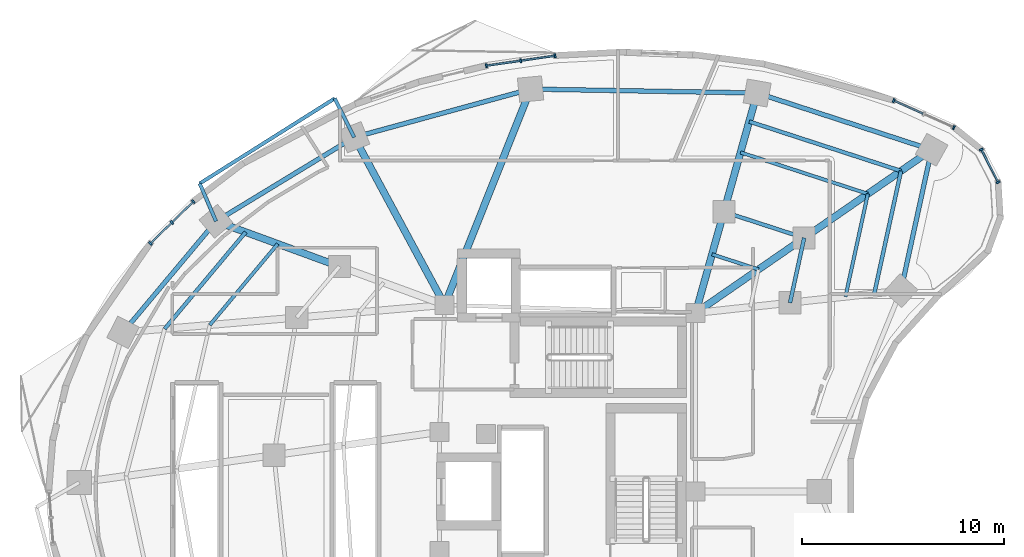
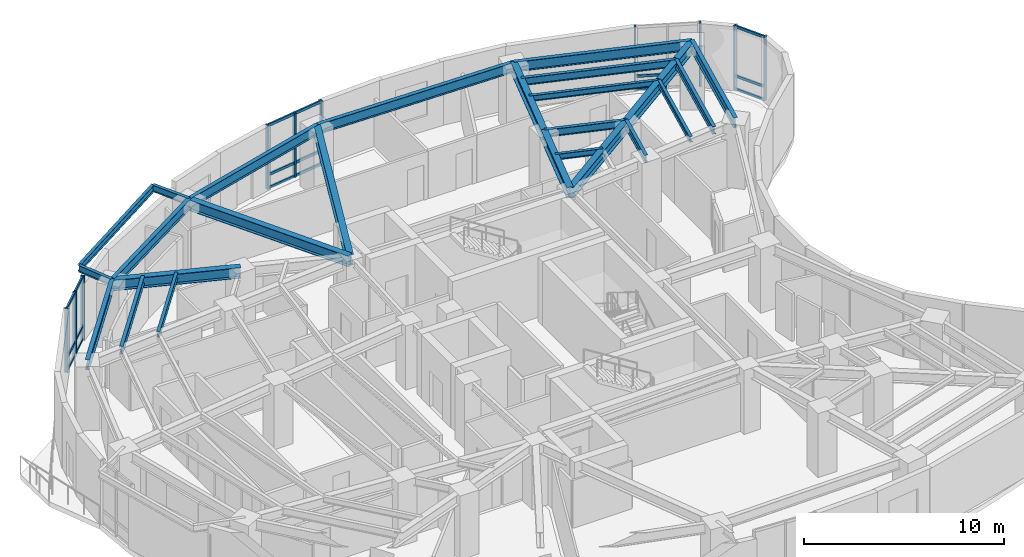
# One storey, part 5 of 14: 27 members, 25 beams, 4 elements without a shape of their own.
"""IFC4 building model written with IfcOpenShell, lengths in metres."""

from ifc_helpers import new_model, si_unit, direction, frame, origin, origin_2d, place, context, subcontext, project, spatial, rectangle, i_section, extrude, material, layer, layer_set, material_profile, profile_set, type_object, element, aggregate, save


model = new_model("IFC4")

# Units and contexts
model_context = context("Model", 3, precision=1e-05, world=origin(), true_north=direction((0.0, 1.0)))
body_context = subcontext(model_context, "Body", "Model", "MODEL_VIEW")
ifc_project = project(units=[si_unit("LENGTHUNIT", "METRE"), si_unit("AREAUNIT", "SQUARE_METRE"), si_unit("VOLUMEUNIT", "CUBIC_METRE"), si_unit("PLANEANGLEUNIT", "RADIAN"), si_unit("MASSUNIT", "GRAM", prefix="KILO")], contexts=[model_context])

# Site, building, storey
site_placement = place(None, origin())
site = spatial("IfcSite", under=ifc_project, at=site_placement, CompositionType="ELEMENT")
building_placement = place(site_placement, origin())
building = spatial("IfcBuilding", under=site, at=building_placement, Name="Korentha Bioscience Tower", CompositionType="ELEMENT")
storey_placement = place(building_placement, frame((0.0, 0.0, 102.60009765625)))
storey = spatial("IfcBuildingStorey", under=building, at=storey_placement, Name="L23", CompositionType="ELEMENT", Elevation=102.60009765625)

# Beams
ifc_material_1 = material(Name="Steel S355", Category="steel")
ifc_material_profile_1 = material_profile(ifc_material_1, i_section(OverallWidth=0.18994140625, OverallDepth=0.45703125, WebThickness=0.009033203125, FlangeThickness=0.014404296875, at=origin_2d()), Name="Steel S355")
ifc_profile_set_1 = profile_set([ifc_material_profile_1], Name="Steel S355 (MB-460)")
beam_type_1 = type_object("IfcBeamType", Name="Mid-Ring Tie Girder W460x74", PredefinedType="BEAM", material=ifc_profile_set_1)
beam_1_placement = place(storey_placement, frame((42.93603515625, 39.57470703125, 3.67138671875), z_axis=(-0.95087582253, 0.309572560361, 0.0), x_axis=(-0.309572560361, -0.95087582253, 0.0)))
element("IfcBeam", 1, at=beam_1_placement, inside=storey, type_object=beam_type_1, Name="L23 Mid-Ring Tie Girder 01", PredefinedType="BEAM", context=body_context, shape_type="SweptSolid", body=[
    extrude(i_section(OverallWidth=0.18994140625, OverallDepth=0.45703125, WebThickness=0.009033203125, FlangeThickness=0.014404296875, at=origin_2d()), origin(), (0.0, 0.0, 1.0), 4.186767578125),
])
beam_2_placement = place(storey_placement, frame((42.235595703125, 36.360595703125, 3.67138671875), z_axis=(0.212928773299, 0.977067724112, 0.0), x_axis=(-0.977067724112, 0.212928773299, 0.0)))
element("IfcBeam", 2, at=beam_2_placement, inside=storey, type_object=beam_type_1, Name="L23 Mid-Ring Tie Girder 16", PredefinedType="BEAM", context=body_context, shape_type="SweptSolid", body=[
    extrude(i_section(OverallWidth=0.18994140625, OverallDepth=0.45703125, WebThickness=0.009033203125, FlangeThickness=0.014404296875, at=origin_2d()), origin(), (0.0, 0.0, 1.0), 3.28955078125),
])

# Curtain wall, members
ifc_material_2 = material(Name="Thermally Broken Aluminium Frame", Category="aluminium")
ifc_layer = layer(ifc_material_2, 0.219970703125, Name="Thermally Broken Aluminium Frame")
ifc_layer_set = layer_set([ifc_layer], Name="Thermally Broken Aluminium Frame (CW-T1)")
curtain_wall_type = type_object("IfcCurtainWallType", Name="Standard Bioscience Lab Unitised Curtain Wall CW-T1", PredefinedType="USERDEFINED", material=ifc_layer_set)
curtain_wall_1_placement = place(storey_placement, origin())
curtain_wall_1 = element("IfcCurtainWall", 3, at=curtain_wall_1_placement, inside=storey, type_object=curtain_wall_type, Name="L23 Curtain Wall 01", ObjectType="UNITISED", PredefinedType="USERDEFINED")
ifc_material_3 = material(Name="Anodised Aluminium 6063-T6", Category="aluminium")
ifc_material_profile_2 = material_profile(ifc_material_3, rectangle(XDim=0.090087890625, YDim=0.199951171875, at=origin_2d()), Name="Anodised Aluminium 6063-T6")
ifc_profile_set_2 = profile_set([ifc_material_profile_2], Name="Anodised Aluminium 6063-T6 (CW-MUL)")
member_type_1 = type_object("IfcMemberType", Name="Mullion RECT 90x200", PredefinedType="MULLION", material=ifc_profile_set_2)
member_1_placement = place(storey_placement, frame((50.364013671875, 45.0517578125, 0.0), z_axis=(0.0, 0.0, 1.0), x_axis=(-0.912686563127, 0.408660295952, 0.0)))
member_1 = element("IfcMember", 4, at=member_1_placement, type_object=member_type_1, Name="CW-L23-01 Mullion 1", PredefinedType="MULLION", context=body_context, shape_type="SweptSolid", body=[
    extrude(rectangle(XDim=0.090087890625, YDim=0.199951171875, at=origin_2d()), origin(), (0.0, 0.0, 1.0), 3.89990234375),
])
member_2_placement = place(storey_placement, frame((47.37890625, 46.388427734375, 0.0), z_axis=(0.0, 0.0, 1.0), x_axis=(-0.912686563127, 0.408660295952, 0.0)))
member_2 = element("IfcMember", 5, at=member_2_placement, type_object=member_type_1, Name="CW-L23-01 Mullion 3", PredefinedType="MULLION", context=body_context, shape_type="SweptSolid", body=[
    extrude(rectangle(XDim=0.090087890625, YDim=0.199951171875, at=origin_2d()), origin(), (0.0, 0.0, 1.0), 3.89990234375),
])

curtain_wall_2_placement = place(storey_placement, origin())
curtain_wall_2 = element("IfcCurtainWall", 6, at=curtain_wall_2_placement, inside=storey, type_object=curtain_wall_type, Name="L23 Curtain Wall 07", ObjectType="UNITISED", PredefinedType="USERDEFINED")
member_3_placement = place(storey_placement, frame((30.576416015625, 48.609375, 0.0), z_axis=(0.0, 0.0, 1.0), x_axis=(-0.989738282326, -0.14289203091, 0.0)))
member_3 = element("IfcMember", 7, at=member_3_placement, type_object=member_type_1, Name="CW-L23-07 Mullion 1", PredefinedType="MULLION", context=body_context, shape_type="SweptSolid", body=[
    extrude(rectangle(XDim=0.090087890625, YDim=0.199951171875, at=origin_2d()), origin(), (0.0, 0.0, 1.0), 3.89990234375),
])
member_4_placement = place(storey_placement, frame((28.873291015625, 48.363525390625, 0.0), z_axis=(0.0, 0.0, 1.0), x_axis=(-0.989738282326, -0.14289203091, 0.0)))
member_4 = element("IfcMember", 8, at=member_4_placement, type_object=member_type_1, Name="CW-L23-07 Mullion 2", PredefinedType="MULLION", context=body_context, shape_type="SweptSolid", body=[
    extrude(rectangle(XDim=0.090087890625, YDim=0.199951171875, at=origin_2d()), origin(), (0.0, 0.0, 1.0), 3.89990234375),
])
member_5_placement = place(storey_placement, frame((27.170166015625, 48.11767578125, 0.0), z_axis=(0.0, 0.0, 1.0), x_axis=(-0.989738282326, -0.14289203091, 0.0)))
member_5 = element("IfcMember", 9, at=member_5_placement, type_object=member_type_1, Name="CW-L23-07 Mullion 3", PredefinedType="MULLION", context=body_context, shape_type="SweptSolid", body=[
    extrude(rectangle(XDim=0.090087890625, YDim=0.199951171875, at=origin_2d()), origin(), (0.0, 0.0, 1.0), 3.89990234375),
])

curtain_wall_3_placement = place(storey_placement, origin())
curtain_wall_3 = element("IfcCurtainWall", 10, at=curtain_wall_3_placement, inside=storey, type_object=curtain_wall_type, Name="L23 Curtain Wall 13", ObjectType="UNITISED", PredefinedType="USERDEFINED")
member_6_placement = place(storey_placement, frame((12.631103515625, 41.377197265625, 0.0), z_axis=(0.0, 0.0, 1.0), x_axis=(-0.716095631804, -0.698002182025, 0.0)))
member_6 = element("IfcMember", 11, at=member_6_placement, type_object=member_type_1, Name="CW-L23-13 Mullion 1", PredefinedType="MULLION", context=body_context, shape_type="SweptSolid", body=[
    extrude(rectangle(XDim=0.090087890625, YDim=0.199951171875, at=origin_2d()), origin(), (0.0, 0.0, 1.0), 3.89990234375),
])
member_7_placement = place(storey_placement, frame((11.56689453125, 40.340087890625, 0.0), z_axis=(0.0, 0.0, 1.0), x_axis=(-0.716095631804, -0.698002182025, 0.0)))
member_7 = element("IfcMember", 12, at=member_7_placement, type_object=member_type_1, Name="CW-L23-13 Mullion 2", PredefinedType="MULLION", context=body_context, shape_type="SweptSolid", body=[
    extrude(rectangle(XDim=0.090087890625, YDim=0.199951171875, at=origin_2d()), origin(), (0.0, 0.0, 1.0), 3.89990234375),
])
member_8_placement = place(storey_placement, frame((10.5029296875, 39.302734375, 0.0), z_axis=(0.0, 0.0, 1.0), x_axis=(-0.716095631804, -0.698002182025, 0.0)))
member_8 = element("IfcMember", 13, at=member_8_placement, type_object=member_type_1, Name="CW-L23-13 Mullion 3", PredefinedType="MULLION", context=body_context, shape_type="SweptSolid", body=[
    extrude(rectangle(XDim=0.090087890625, YDim=0.199951171875, at=origin_2d()), origin(), (0.0, 0.0, 1.0), 3.89990234375),
])

curtain_wall_4_placement = place(storey_placement, origin())
curtain_wall_4 = element("IfcCurtainWall", 14, at=curtain_wall_4_placement, inside=storey, type_object=curtain_wall_type, Name="L23 Curtain Wall 61", ObjectType="UNITISED", PredefinedType="USERDEFINED")
member_9_placement = place(storey_placement, frame((52.55859375, 42.337158203125, 0.0), z_axis=(0.0, 0.0, 1.0), x_axis=(-0.457613117169, 0.889151412862, 0.0)))
member_9 = element("IfcMember", 15, at=member_9_placement, type_object=member_type_1, Name="CW-L23-61 Mullion 1", PredefinedType="MULLION", context=body_context, shape_type="SweptSolid", body=[
    extrude(rectangle(XDim=0.090087890625, YDim=0.199951171875, at=origin_2d()), origin(), (0.0, 0.0, 1.0), 3.89990234375),
])
member_10_placement = place(storey_placement, frame((51.722412109375, 43.962158203125, 0.0), z_axis=(0.0, 0.0, 1.0), x_axis=(-0.457613117169, 0.889151412862, 0.0)))
member_10 = element("IfcMember", 16, at=member_10_placement, type_object=member_type_1, Name="CW-L23-61 Mullion 2", PredefinedType="MULLION", context=body_context, shape_type="SweptSolid", body=[
    extrude(rectangle(XDim=0.090087890625, YDim=0.199951171875, at=origin_2d()), origin(), (0.0, 0.0, 1.0), 3.89990234375),
])

# Beams
ifc_material_profile_3 = material_profile(ifc_material_1, i_section(OverallWidth=0.22802734375, OverallDepth=0.60791015625, WebThickness=0.01123046875, FlangeThickness=0.017333984375, at=origin_2d()), Name="Steel S355")
ifc_profile_set_3 = profile_set([ifc_material_profile_3], Name="Steel S355 (SB-610)")
beam_type_2 = type_object("IfcBeamType", Name="Perimeter Ring Spandrel Girder W610x113", PredefinedType="SPANDREL", material=ifc_profile_set_3)
beam_3_placement = place(storey_placement, frame((49.2587890625, 43.947021484375, 3.595947265625), z_axis=(-0.950867758759, 0.309597327755, 0.0), x_axis=(-0.309597327755, -0.950867758759, 0.0)))
element("IfcBeam", 17, at=beam_3_placement, inside=storey, type_object=beam_type_2, Name="L23 Perimeter Spandrel Girder 01", PredefinedType="SPANDREL", context=body_context, shape_type="SweptSolid", body=[
    extrude(i_section(OverallWidth=0.22802734375, OverallDepth=0.60791015625, WebThickness=0.01123046875, FlangeThickness=0.017333984375, at=origin_2d()), origin(), (0.0, 0.0, 1.0), 9.101806640625),
])
beam_4_placement = place(storey_placement, frame((40.604248046875, 46.764892578125, 3.595947265625), z_axis=(-0.999850566826, 0.017287105523, 0.0), x_axis=(-0.017287105523, -0.999850566826, 0.0)))
element("IfcBeam", 18, at=beam_4_placement, inside=storey, type_object=beam_type_2, Name="L23 Perimeter Spandrel Girder 02", PredefinedType="SPANDREL", context=body_context, shape_type="SweptSolid", body=[
    extrude(i_section(OverallWidth=0.22802734375, OverallDepth=0.60791015625, WebThickness=0.01123046875, FlangeThickness=0.017333984375, at=origin_2d()), origin(), (0.0, 0.0, 1.0), 11.24169921875),
])
beam_5_placement = place(storey_placement, frame((29.3642578125, 46.959228515625, 3.595947265625), z_axis=(-0.964659386444, -0.263500034431, 0.0), x_axis=(0.263500034431, -0.964659386444, 0.0)))
element("IfcBeam", 19, at=beam_5_placement, inside=storey, type_object=beam_type_2, Name="L23 Perimeter Spandrel Girder 03", PredefinedType="SPANDREL", context=body_context, shape_type="SweptSolid", body=[
    extrude(i_section(OverallWidth=0.22802734375, OverallDepth=0.60791015625, WebThickness=0.01123046875, FlangeThickness=0.017333984375, at=origin_2d()), origin(), (0.0, 0.0, 1.0), 9.06982421875),
])
beam_6_placement = place(storey_placement, frame((20.614990234375, 44.5693359375, 3.595947265625), z_axis=(-0.854461040474, -0.51951547649, 0.0), x_axis=(0.51951547649, -0.854461040474, 0.0)))
element("IfcBeam", 20, at=beam_6_placement, inside=storey, type_object=beam_type_2, Name="L23 Perimeter Spandrel Girder 04", PredefinedType="SPANDREL", context=body_context, shape_type="SweptSolid", body=[
    extrude(i_section(OverallWidth=0.22802734375, OverallDepth=0.60791015625, WebThickness=0.01123046875, FlangeThickness=0.017333984375, at=origin_2d()), origin(), (0.0, 0.0, 1.0), 8.025146484375),
])
beam_7_placement = place(storey_placement, frame((13.7578125, 40.400146484375, 3.595947265625), z_axis=(-0.642126556076, -0.76659864726, 0.0), x_axis=(0.76659864726, -0.642126556076, 0.0)))
element("IfcBeam", 21, at=beam_7_placement, inside=storey, type_object=beam_type_2, Name="L23 Perimeter Spandrel Girder 05", PredefinedType="SPANDREL", context=body_context, shape_type="SweptSolid", body=[
    extrude(i_section(OverallWidth=0.22802734375, OverallDepth=0.60791015625, WebThickness=0.01123046875, FlangeThickness=0.017333984375, at=origin_2d()), origin(), (0.0, 0.0, 1.0), 7.1884765625),
])
beam_8_placement = place(storey_placement, frame((47.736083984375, 36.959716796875, 3.595947265625), z_axis=(0.212927102256, 0.977068088275, 0.0), x_axis=(-0.977068088275, 0.212927102256, 0.0)))
element("IfcBeam", 22, at=beam_8_placement, inside=storey, type_object=beam_type_2, Name="L23 Perimeter Spandrel Girder 16", PredefinedType="SPANDREL", context=body_context, shape_type="SweptSolid", body=[
    extrude(i_section(OverallWidth=0.22802734375, OverallDepth=0.60791015625, WebThickness=0.01123046875, FlangeThickness=0.017333984375, at=origin_2d()), origin(), (0.0, 0.0, 1.0), 7.1513671875),
])
ifc_material_profile_4 = material_profile(ifc_material_1, i_section(OverallWidth=0.18994140625, OverallDepth=0.45703125, WebThickness=0.009033203125, FlangeThickness=0.014404296875, at=origin_2d()), Name="Steel S355")
ifc_profile_set_4 = profile_set([ifc_material_profile_4], Name="Steel S355 (RB-460)")
beam_type_3 = type_object("IfcBeamType", Name="Radial Laboratory Beam W460x74", PredefinedType="BEAM", material=ifc_profile_set_4)
beam_9_placement = place(storey_placement, frame((47.7412109375, 42.8974609375, 3.67138671875), z_axis=(-0.950866789802, 0.3096003037, 0.0), x_axis=(-0.3096003037, -0.950866789802, 0.0)))
element("IfcBeam", 23, at=beam_9_placement, inside=storey, type_object=beam_type_3, Name="L23 Secondary Floor Beam JSTO-01", PredefinedType="BEAM", context=body_context, shape_type="SweptSolid", body=[
    extrude(i_section(OverallWidth=0.18994140625, OverallDepth=0.45703125, WebThickness=0.009033203125, FlangeThickness=0.014404296875, at=origin_2d()), origin(), (0.0, 0.0, 1.0), 7.921875),
])
beam_10_placement = place(storey_placement, frame((15.227783203125, 39.8623046875, 3.67138671875), z_axis=(-0.642128156066, -0.766597307057, 0.0), x_axis=(0.766597307057, -0.642128156066, 0.0)))
element("IfcBeam", 24, at=beam_10_placement, inside=storey, type_object=beam_type_3, Name="L23 Secondary Floor Beam JSTO-05", PredefinedType="BEAM", context=body_context, shape_type="SweptSolid", body=[
    extrude(i_section(OverallWidth=0.18994140625, OverallDepth=0.45703125, WebThickness=0.009033203125, FlangeThickness=0.014404296875, at=origin_2d()), origin(), (0.0, 0.0, 1.0), 6.257080078125),
])
beam_11_placement = place(storey_placement, frame((46.416015625, 36.81591796875, 3.67138671875), z_axis=(0.21290837934, 0.977072168269, 0.0), x_axis=(-0.977072168269, 0.21290837934, 0.0)))
element("IfcBeam", 25, at=beam_11_placement, inside=storey, type_object=beam_type_3, Name="L23 Secondary Floor Beam JSTO-16", PredefinedType="BEAM", context=body_context, shape_type="SweptSolid", body=[
    extrude(i_section(OverallWidth=0.18994140625, OverallDepth=0.45703125, WebThickness=0.009033203125, FlangeThickness=0.014404296875, at=origin_2d()), origin(), (0.0, 0.0, 1.0), 6.224365234375),
])
ifc_material_profile_5 = material_profile(ifc_material_1, i_section(OverallWidth=0.35009765625, OverallDepth=0.64990234375, WebThickness=0.01611328125, FlangeThickness=0.02490234375, at=origin_2d()), Name="Steel S355")
ifc_profile_set_5 = profile_set([ifc_material_profile_5], Name="Steel S355 (RB-650)")
beam_type_4 = type_object("IfcBeamType", Name="Radial Laboratory Girder CVS 650x208", PredefinedType="BEAM", material=ifc_profile_set_5)
beam_12_placement = place(storey_placement, frame((37.550048828125, 35.85009765625, 3.574951171875), z_axis=(0.822488699387, 0.568781451333, 0.0), x_axis=(-0.568781451333, 0.822488699387, 0.0)))
element("IfcBeam", 26, at=beam_12_placement, inside=storey, type_object=beam_type_4, Name="L23 Inner Radial Girder 01", PredefinedType="BEAM", context=body_context, shape_type="SweptSolid", body=[
    extrude(i_section(OverallWidth=0.35009765625, OverallDepth=0.64990234375, WebThickness=0.01611328125, FlangeThickness=0.02490234375, at=origin_2d()), origin(), (0.0, 0.0, 1.0), 6.54833984375),
])
beam_13_placement = place(storey_placement, frame((42.93603515625, 39.57470703125, 3.574951171875), z_axis=(0.822495056204, 0.568772258922, 0.0), x_axis=(-0.568772258922, 0.822495056204, 0.0)))
element("IfcBeam", 27, at=beam_13_placement, inside=storey, type_object=beam_type_4, Name="L23 Outer Radial Girder 01", PredefinedType="BEAM", context=body_context, shape_type="SweptSolid", body=[
    extrude(i_section(OverallWidth=0.35009765625, OverallDepth=0.64990234375, WebThickness=0.01611328125, FlangeThickness=0.02490234375, at=origin_2d()), origin(), (0.0, 0.0, 1.0), 7.687255859375),
])
beam_14_placement = place(storey_placement, frame((37.550048828125, 35.85009765625, 3.574951171875), z_axis=(0.269447542125, 0.96301506844, 0.0), x_axis=(-0.96301506844, 0.269447542125, 0.0)))
element("IfcBeam", 28, at=beam_14_placement, inside=storey, type_object=beam_type_4, Name="L23 Inner Radial Girder 02", PredefinedType="BEAM", context=body_context, shape_type="SweptSolid", body=[
    extrude(i_section(OverallWidth=0.35009765625, OverallDepth=0.64990234375, WebThickness=0.01611328125, FlangeThickness=0.02490234375, at=origin_2d()), origin(), (0.0, 0.0, 1.0), 5.213623046875),
])
beam_15_placement = place(storey_placement, frame((38.954833984375, 40.870849609375, 3.574951171875), z_axis=(0.269490843458, 0.963002951861, 0.0), x_axis=(-0.963002951861, 0.269490843458, 0.0)))
element("IfcBeam", 29, at=beam_15_placement, inside=storey, type_object=beam_type_4, Name="L23 Outer Radial Girder 02", PredefinedType="BEAM", context=body_context, shape_type="SweptSolid", body=[
    extrude(i_section(OverallWidth=0.35009765625, OverallDepth=0.64990234375, WebThickness=0.01611328125, FlangeThickness=0.02490234375, at=origin_2d()), origin(), (0.0, 0.0, 1.0), 6.120361328125),
])
beam_16_placement = place(storey_placement, frame((25.10009765625, 36.25, 3.574951171875), z_axis=(0.369929528493, 0.929059817207, 0.0), x_axis=(-0.929059817207, 0.369929528493, 0.0)))
element("IfcBeam", 30, at=beam_16_placement, inside=storey, type_object=beam_type_4, Name="L23 Radial Girder 03", PredefinedType="BEAM", context=body_context, shape_type="SweptSolid", body=[
    extrude(i_section(OverallWidth=0.35009765625, OverallDepth=0.64990234375, WebThickness=0.01611328125, FlangeThickness=0.02490234375, at=origin_2d()), origin(), (0.0, 0.0, 1.0), 11.52685546875),
])
beam_17_placement = place(storey_placement, frame((25.10009765625, 36.25, 3.574951171875), z_axis=(-0.474548018732, 0.880229616587, 0.0), x_axis=(-0.880229616587, -0.474548018732, 0.0)))
element("IfcBeam", 31, at=beam_17_placement, inside=storey, type_object=beam_type_4, Name="L23 Radial Girder 04", PredefinedType="BEAM", context=body_context, shape_type="SweptSolid", body=[
    extrude(i_section(OverallWidth=0.35009765625, OverallDepth=0.64990234375, WebThickness=0.01611328125, FlangeThickness=0.02490234375, at=origin_2d()), origin(), (0.0, 0.0, 1.0), 9.451416015625),
])
beam_18_placement = place(storey_placement, frame((19.882568359375, 38.158935546875, 3.574951171875), z_axis=(-0.939100755225, 0.343641923425, 0.0), x_axis=(-0.343641923425, -0.939100755225, 0.0)))
element("IfcBeam", 32, at=beam_18_placement, inside=storey, type_object=beam_type_4, Name="L23 Outer Radial Girder 05", PredefinedType="BEAM", context=body_context, shape_type="SweptSolid", body=[
    extrude(i_section(OverallWidth=0.35009765625, OverallDepth=0.64990234375, WebThickness=0.01611328125, FlangeThickness=0.02490234375, at=origin_2d()), origin(), (0.0, 0.0, 1.0), 6.52197265625),
])
ifc_material_profile_6 = material_profile(ifc_material_1, i_section(OverallWidth=0.1708984375, OverallDepth=0.35498046875, WebThickness=0.007080078125, FlangeThickness=0.01171875, at=origin_2d()), Name="Steel S355")
ifc_profile_set_6 = profile_set([ifc_material_profile_6], Name="Steel S355 (JB-360)")
beam_type_5 = type_object("IfcBeamType", Name="Secondary Laboratory Joist W360x51", PredefinedType="JOIST", material=ifc_profile_set_6)
beam_19_placement = place(storey_placement, frame((46.097412109375, 41.7607421875, 3.722412109375), z_axis=(-0.950864890997, 0.309606135387, 0.0), x_axis=(-0.309606135387, -0.950864890997, 0.0)))
element("IfcBeam", 33, at=beam_19_placement, inside=storey, type_object=beam_type_5, Name="L23 Secondary Floor Beam JST-01", PredefinedType="JOIST", context=body_context, shape_type="SweptSolid", body=[
    extrude(i_section(OverallWidth=0.1708984375, OverallDepth=0.35498046875, WebThickness=0.007080078125, FlangeThickness=0.01171875, at=origin_2d()), origin(), (0.0, 0.0, 1.0), 6.644287109375),
])
beam_20_placement = place(storey_placement, frame((40.673828125, 38.01025390625, 3.722412109375), z_axis=(-0.950852158547, 0.30964523666, 0.0), x_axis=(-0.30964523666, -0.950852158547, 0.0)))
element("IfcBeam", 34, at=beam_20_placement, inside=storey, type_object=beam_type_5, Name="L23 Inner Bay Joist 01", PredefinedType="JOIST", context=body_context, shape_type="SweptSolid", body=[
    extrude(i_section(OverallWidth=0.1708984375, OverallDepth=0.35498046875, WebThickness=0.007080078125, FlangeThickness=0.01171875, at=origin_2d()), origin(), (0.0, 0.0, 1.0), 2.428466796875),
])
beam_21_placement = place(storey_placement, frame((16.8203125, 39.279541015625, 3.722412109375), z_axis=(-0.642140812018, -0.76658670582, 0.0), x_axis=(0.76658670582, -0.642140812018, 0.0)))
element("IfcBeam", 35, at=beam_21_placement, inside=storey, type_object=beam_type_5, Name="L23 Secondary Floor Beam JST-05", PredefinedType="JOIST", context=body_context, shape_type="SweptSolid", body=[
    extrude(i_section(OverallWidth=0.1708984375, OverallDepth=0.35498046875, WebThickness=0.007080078125, FlangeThickness=0.01171875, at=origin_2d()), origin(), (0.0, 0.0, 1.0), 5.247802734375),
])
beam_22_placement = place(storey_placement, frame((44.98583984375, 36.66015625, 3.722412109375), z_axis=(0.212932493609, 0.977066913351, 0.0), x_axis=(-0.977066913351, 0.212932493609, 0.0)))
element("IfcBeam", 36, at=beam_22_placement, inside=storey, type_object=beam_type_5, Name="L23 Secondary Floor Beam JST-16", PredefinedType="JOIST", context=body_context, shape_type="SweptSolid", body=[
    extrude(i_section(OverallWidth=0.1708984375, OverallDepth=0.35498046875, WebThickness=0.007080078125, FlangeThickness=0.01171875, at=origin_2d()), origin(), (0.0, 0.0, 1.0), 5.22021484375),
])
ifc_material_profile_7 = material_profile(ifc_material_1, i_section(OverallWidth=0.177978515625, OverallDepth=0.406982421875, WebThickness=0.0078125, FlangeThickness=0.0126953125, at=origin_2d()), Name="Steel S355")
ifc_profile_set_7 = profile_set([ifc_material_profile_7], Name="Steel S355 (CB-410)")
beam_type_6 = type_object("IfcBeamType", Name="Sun-Ledge Cantilever Beam W410x60", PredefinedType="BEAM", material=ifc_profile_set_7)
beam_23_placement = place(storey_placement, frame((20.614990234375, 44.5693359375, 3.698486328125), z_axis=(-0.44852697991, 0.893769292543, 0.0), x_axis=(-0.893769292543, -0.44852697991, 0.0)))
element("IfcBeam", 37, at=beam_23_placement, inside=storey, type_object=beam_type_6, Name="L23 Balcony Cantilever Bracket A-L24-01", PredefinedType="BEAM", context=body_context, shape_type="SweptSolid", body=[
    extrude(i_section(OverallWidth=0.177978515625, OverallDepth=0.406982421875, WebThickness=0.0078125, FlangeThickness=0.0126953125, at=origin_2d()), origin(), (0.0, 0.0, 1.0), 2.155517578125),
])
beam_24_placement = place(storey_placement, frame((13.7578125, 40.400146484375, 3.698486328125), z_axis=(-0.396271043658, 0.918133574137, 0.0), x_axis=(-0.918133574137, -0.396271043658, 0.0)))
element("IfcBeam", 38, at=beam_24_placement, inside=storey, type_object=beam_type_6, Name="L23 Balcony Cantilever Bracket B-L24-01", PredefinedType="BEAM", context=body_context, shape_type="SweptSolid", body=[
    extrude(i_section(OverallWidth=0.177978515625, OverallDepth=0.406982421875, WebThickness=0.0078125, FlangeThickness=0.0126953125, at=origin_2d()), origin(), (0.0, 0.0, 1.0), 2.041015625),
])
beam_25_placement = place(storey_placement, frame((19.648193359375, 46.495849609375, 3.698486328125), z_axis=(-0.846024766913, -0.533143595826, 0.0), x_axis=(0.533143595826, -0.846024766913, 0.0)))
element("IfcBeam", 39, at=beam_25_placement, inside=storey, type_object=beam_type_6, Name="L23 Balcony Edge Trimmer Beam L24-01", PredefinedType="BEAM", context=body_context, shape_type="SweptSolid", body=[
    extrude(i_section(OverallWidth=0.177978515625, OverallDepth=0.406982421875, WebThickness=0.0078125, FlangeThickness=0.0126953125, at=origin_2d()), origin(), (0.0, 0.0, 1.0), 7.91845703125),
])

# Member
ifc_material_profile_8 = material_profile(ifc_material_3, rectangle(XDim=0.090087890625, YDim=0.159912109375, at=origin_2d()), Name="Anodised Aluminium 6063-T6")
ifc_profile_set_8 = profile_set([ifc_material_profile_8], Name="Anodised Aluminium 6063-T6 (CW-TRN)")
member_type_2 = type_object("IfcMemberType", Name="Transom RECT 90x160", PredefinedType="USERDEFINED", material=ifc_profile_set_8)
member_11_placement = place(storey_placement, frame((48.830322265625, 45.738525390625, 0.044921875), z_axis=(-0.912667864607, 0.408702053962, 0.0), x_axis=(-0.408702053962, -0.912667864607, 0.0)))
member_11 = element("IfcMember", 40, at=member_11_placement, type_object=member_type_2, Name="CW-L23-01 Bay 2 Transom 1", ObjectType="TRANSOM", PredefinedType="USERDEFINED", context=body_context, shape_type="SweptSolid", body=[
    extrude(rectangle(XDim=0.090087890625, YDim=0.159912109375, at=origin_2d()), origin(), (0.0, 0.0, 1.0), 1.54541015625),
])

member_12_placement = place(storey_placement, frame((48.830322265625, 45.738525390625, 0.849853515625), z_axis=(-0.912667864607, 0.408702053962, 0.0), x_axis=(-0.408702053962, -0.912667864607, 0.0)))
member_12 = element("IfcMember", 41, at=member_12_placement, type_object=member_type_2, Name="CW-L23-01 Bay 2 Transom 2", ObjectType="TRANSOM", PredefinedType="USERDEFINED", context=body_context, shape_type="SweptSolid", body=[
    extrude(rectangle(XDim=0.090087890625, YDim=0.159912109375, at=origin_2d()), origin(), (0.0, 0.0, 1.0), 1.54541015625),
])

aggregate(curtain_wall_1, [member_1, member_2, member_11, member_12])

member_13_placement = place(storey_placement, frame((30.53173828125, 48.602783203125, 0.044921875), z_axis=(-0.989747883164, -0.142825515132, 0.0), x_axis=(0.142825515132, -0.989747883164, 0.0)))
member_13 = element("IfcMember", 42, at=member_13_placement, type_object=member_type_2, Name="CW-L23-07 Bay 1 Transom 1", ObjectType="TRANSOM", PredefinedType="USERDEFINED", context=body_context, shape_type="SweptSolid", body=[
    extrude(rectangle(XDim=0.090087890625, YDim=0.159912109375, at=origin_2d()), origin(), (0.0, 0.0, 1.0), 1.630615234375),
])

member_14_placement = place(storey_placement, frame((30.53173828125, 48.602783203125, 0.849853515625), z_axis=(-0.989747883164, -0.142825515132, 0.0), x_axis=(0.142825515132, -0.989747883164, 0.0)))
member_14 = element("IfcMember", 43, at=member_14_placement, type_object=member_type_2, Name="CW-L23-07 Bay 1 Transom 2", ObjectType="TRANSOM", PredefinedType="USERDEFINED", context=body_context, shape_type="SweptSolid", body=[
    extrude(rectangle(XDim=0.090087890625, YDim=0.159912109375, at=origin_2d()), origin(), (0.0, 0.0, 1.0), 1.630615234375),
])

member_15_placement = place(storey_placement, frame((30.53173828125, 48.602783203125, 3.85498046875), z_axis=(-0.989747883164, -0.142825515132, 0.0), x_axis=(0.142825515132, -0.989747883164, 0.0)))
member_15 = element("IfcMember", 44, at=member_15_placement, type_object=member_type_2, Name="CW-L23-07 Bay 1 Transom 3", ObjectType="TRANSOM", PredefinedType="USERDEFINED", context=body_context, shape_type="SweptSolid", body=[
    extrude(rectangle(XDim=0.090087890625, YDim=0.159912109375, at=origin_2d()), origin(), (0.0, 0.0, 1.0), 1.630615234375),
])

member_16_placement = place(storey_placement, frame((28.82861328125, 48.357177734375, 0.044921875), z_axis=(-0.989723648346, -0.142993356153, 0.0), x_axis=(0.142993356153, -0.989723648346, 0.0)))
member_16 = element("IfcMember", 45, at=member_16_placement, type_object=member_type_2, Name="CW-L23-07 Bay 2 Transom 1", ObjectType="TRANSOM", PredefinedType="USERDEFINED", context=body_context, shape_type="SweptSolid", body=[
    extrude(rectangle(XDim=0.090087890625, YDim=0.159912109375, at=origin_2d()), origin(), (0.0, 0.0, 1.0), 1.630615234375),
])

member_17_placement = place(storey_placement, frame((28.82861328125, 48.357177734375, 0.849853515625), z_axis=(-0.989723648346, -0.142993356153, 0.0), x_axis=(0.142993356153, -0.989723648346, 0.0)))
member_17 = element("IfcMember", 46, at=member_17_placement, type_object=member_type_2, Name="CW-L23-07 Bay 2 Transom 2", ObjectType="TRANSOM", PredefinedType="USERDEFINED", context=body_context, shape_type="SweptSolid", body=[
    extrude(rectangle(XDim=0.090087890625, YDim=0.159912109375, at=origin_2d()), origin(), (0.0, 0.0, 1.0), 1.630615234375),
])

member_18_placement = place(storey_placement, frame((28.82861328125, 48.357177734375, 3.85498046875), z_axis=(-0.989723648346, -0.142993356153, 0.0), x_axis=(0.142993356153, -0.989723648346, 0.0)))
member_18 = element("IfcMember", 47, at=member_18_placement, type_object=member_type_2, Name="CW-L23-07 Bay 2 Transom 3", ObjectType="TRANSOM", PredefinedType="USERDEFINED", context=body_context, shape_type="SweptSolid", body=[
    extrude(rectangle(XDim=0.090087890625, YDim=0.159912109375, at=origin_2d()), origin(), (0.0, 0.0, 1.0), 1.630615234375),
])

aggregate(curtain_wall_2, [member_3, member_4, member_5, member_13, member_14, member_15, member_16, member_17, member_18])

member_19_placement = place(storey_placement, frame((12.598876953125, 41.345703125, 0.044921875), z_axis=(-0.716142170971, -0.697954433296, 0.0), x_axis=(0.697954433296, -0.716142170971, 0.0)))
member_19 = element("IfcMember", 48, at=member_19_placement, type_object=member_type_2, Name="CW-L23-13 Bay 1 Transom 1", ObjectType="TRANSOM", PredefinedType="USERDEFINED", context=body_context, shape_type="SweptSolid", body=[
    extrude(rectangle(XDim=0.090087890625, YDim=0.159912109375, at=origin_2d()), origin(), (0.0, 0.0, 1.0), 1.39599609375),
])

member_20_placement = place(storey_placement, frame((12.598876953125, 41.345703125, 0.849853515625), z_axis=(-0.716142170971, -0.697954433296, 0.0), x_axis=(0.697954433296, -0.716142170971, 0.0)))
member_20 = element("IfcMember", 49, at=member_20_placement, type_object=member_type_2, Name="CW-L23-13 Bay 1 Transom 2", ObjectType="TRANSOM", PredefinedType="USERDEFINED", context=body_context, shape_type="SweptSolid", body=[
    extrude(rectangle(XDim=0.090087890625, YDim=0.159912109375, at=origin_2d()), origin(), (0.0, 0.0, 1.0), 1.39599609375),
])

member_21_placement = place(storey_placement, frame((12.598876953125, 41.345703125, 3.85498046875), z_axis=(-0.716142170971, -0.697954433296, 0.0), x_axis=(0.697954433296, -0.716142170971, 0.0)))
member_21 = element("IfcMember", 50, at=member_21_placement, type_object=member_type_2, Name="CW-L23-13 Bay 1 Transom 3", ObjectType="TRANSOM", PredefinedType="USERDEFINED", context=body_context, shape_type="SweptSolid", body=[
    extrude(rectangle(XDim=0.090087890625, YDim=0.159912109375, at=origin_2d()), origin(), (0.0, 0.0, 1.0), 1.39599609375),
])

member_22_placement = place(storey_placement, frame((11.534912109375, 40.30859375, 0.044921875), z_axis=(-0.716142170971, -0.697954433296, 0.0), x_axis=(0.697954433296, -0.716142170971, 0.0)))
member_22 = element("IfcMember", 51, at=member_22_placement, type_object=member_type_2, Name="CW-L23-13 Bay 2 Transom 1", ObjectType="TRANSOM", PredefinedType="USERDEFINED", context=body_context, shape_type="SweptSolid", body=[
    extrude(rectangle(XDim=0.090087890625, YDim=0.159912109375, at=origin_2d()), origin(), (0.0, 0.0, 1.0), 1.39599609375),
])

member_23_placement = place(storey_placement, frame((11.534912109375, 40.30859375, 0.849853515625), z_axis=(-0.716142170971, -0.697954433296, 0.0), x_axis=(0.697954433296, -0.716142170971, 0.0)))
member_23 = element("IfcMember", 52, at=member_23_placement, type_object=member_type_2, Name="CW-L23-13 Bay 2 Transom 2", ObjectType="TRANSOM", PredefinedType="USERDEFINED", context=body_context, shape_type="SweptSolid", body=[
    extrude(rectangle(XDim=0.090087890625, YDim=0.159912109375, at=origin_2d()), origin(), (0.0, 0.0, 1.0), 1.39599609375),
])

member_24_placement = place(storey_placement, frame((11.534912109375, 40.30859375, 3.85498046875), z_axis=(-0.716142170971, -0.697954433296, 0.0), x_axis=(0.697954433296, -0.716142170971, 0.0)))
member_24 = element("IfcMember", 53, at=member_24_placement, type_object=member_type_2, Name="CW-L23-13 Bay 2 Transom 3", ObjectType="TRANSOM", PredefinedType="USERDEFINED", context=body_context, shape_type="SweptSolid", body=[
    extrude(rectangle(XDim=0.090087890625, YDim=0.159912109375, at=origin_2d()), origin(), (0.0, 0.0, 1.0), 1.39599609375),
])

aggregate(curtain_wall_3, [member_6, member_7, member_8, member_19, member_20, member_21, member_22, member_23, member_24])

member_25_placement = place(storey_placement, frame((52.5380859375, 42.377197265625, 0.044921875), z_axis=(-0.457636897633, 0.889139173541, 0.0), x_axis=(-0.889139173541, -0.457636897633, 0.0)))
member_25 = element("IfcMember", 54, at=member_25_placement, type_object=member_type_2, Name="CW-L23-61 Bay 1 Transom 1", ObjectType="TRANSOM", PredefinedType="USERDEFINED", context=body_context, shape_type="SweptSolid", body=[
    extrude(rectangle(XDim=0.090087890625, YDim=0.159912109375, at=origin_2d()), origin(), (0.0, 0.0, 1.0), 1.737548828125),
])

member_26_placement = place(storey_placement, frame((52.5380859375, 42.377197265625, 0.849853515625), z_axis=(-0.457636897633, 0.889139173541, 0.0), x_axis=(-0.889139173541, -0.457636897633, 0.0)))
member_26 = element("IfcMember", 55, at=member_26_placement, type_object=member_type_2, Name="CW-L23-61 Bay 1 Transom 2", ObjectType="TRANSOM", PredefinedType="USERDEFINED", context=body_context, shape_type="SweptSolid", body=[
    extrude(rectangle(XDim=0.090087890625, YDim=0.159912109375, at=origin_2d()), origin(), (0.0, 0.0, 1.0), 1.737548828125),
])

member_27_placement = place(storey_placement, frame((52.5380859375, 42.377197265625, 3.85498046875), z_axis=(-0.457636897633, 0.889139173541, 0.0), x_axis=(-0.889139173541, -0.457636897633, 0.0)))
member_27 = element("IfcMember", 56, at=member_27_placement, type_object=member_type_2, Name="CW-L23-61 Bay 1 Transom 3", ObjectType="TRANSOM", PredefinedType="USERDEFINED", context=body_context, shape_type="SweptSolid", body=[
    extrude(rectangle(XDim=0.090087890625, YDim=0.159912109375, at=origin_2d()), origin(), (0.0, 0.0, 1.0), 1.737548828125),
])

aggregate(curtain_wall_4, [member_9, member_10, member_25, member_26, member_27])

save(model, "model.ifc")
